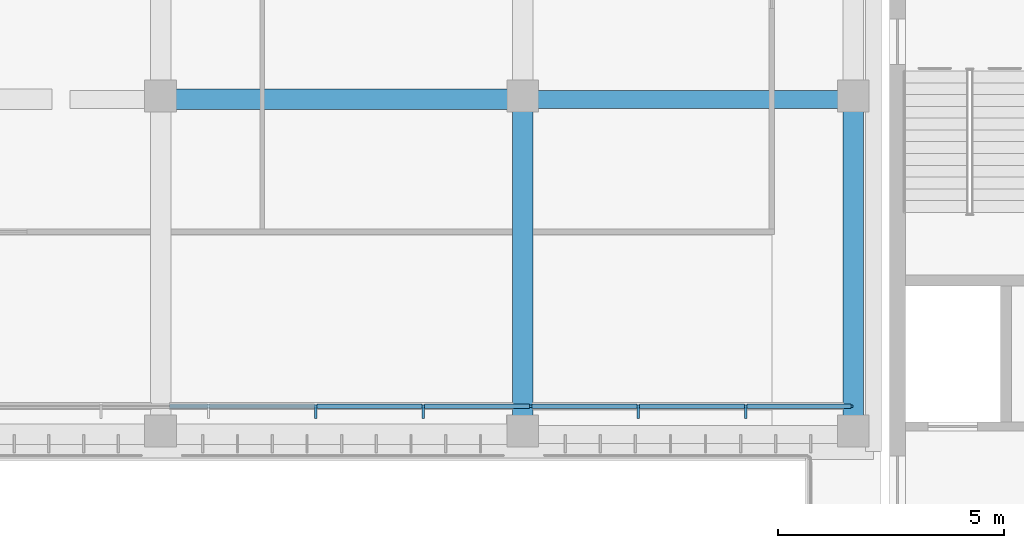
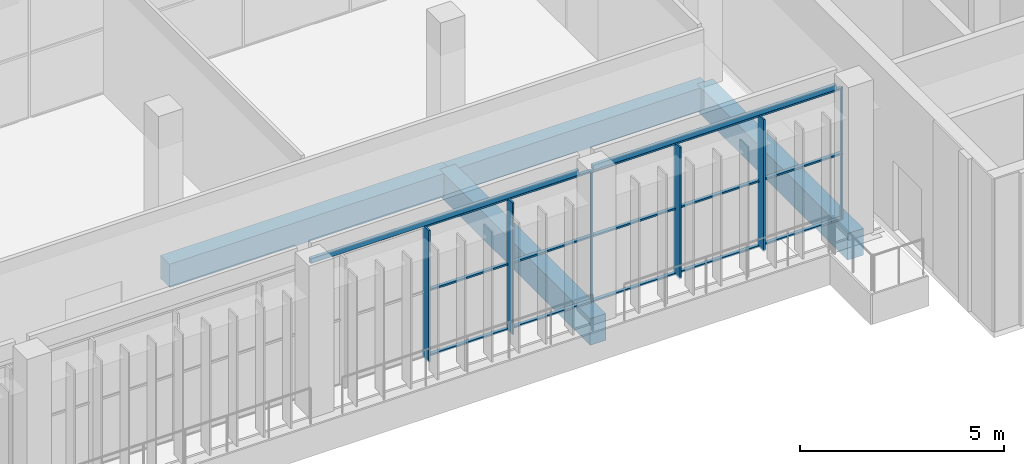
# One storey, part 31 of 73: 21 members, 6 beams, 1 element without a shape of its own.
"""IFC4 building model written with IfcOpenShell, lengths in metres."""

from ifc_helpers import new_model, si_unit, direction, frame, origin, origin_2d, place, context, subcontext, project, spatial, rectangle, hollow_rectangle, extrude, material, material_profile, profile_set, type_object, element, aggregate, save


model = new_model("IFC4")

# Units and contexts
model_context = context("Model", 3, precision=1e-05, world=origin(), true_north=direction((0.0, 1.0)))
body_context = subcontext(model_context, "Body", "Model", "MODEL_VIEW")
ifc_project = project(units=[si_unit("LENGTHUNIT", "METRE"), si_unit("AREAUNIT", "SQUARE_METRE"), si_unit("VOLUMEUNIT", "CUBIC_METRE"), si_unit("PLANEANGLEUNIT", "RADIAN"), si_unit("MASSUNIT", "GRAM", prefix="KILO")], contexts=[model_context])

# Site, building, storey
site_placement = place(None, origin())
site = spatial("IfcSite", under=ifc_project, at=site_placement, CompositionType="ELEMENT")
building_placement = place(site_placement, origin())
building = spatial("IfcBuilding", under=site, at=building_placement, Name="Lantern Court Media Centre", CompositionType="ELEMENT")
storey_placement = place(building_placement, frame((0.0, 0.0, 24.0)))
storey = spatial("IfcBuildingStorey", under=building, at=storey_placement, Name="L05", CompositionType="ELEMENT", Elevation=24.0)

# Curtain wall, members
ifc_material_1 = material(Name="Curtain wall bay 2400")
curtain_wall_type = type_object("IfcCurtainWallType", Name="Curtain wall bay 2400", PredefinedType="NOTDEFINED", material=ifc_material_1)
curtain_wall_placement = place(storey_placement, origin())
curtain_wall = element("IfcCurtainWall", 1, at=curtain_wall_placement, inside=storey, type_object=curtain_wall_type, Name="Curtain wall N inner L05", PredefinedType="NOTDEFINED")
ifc_material_2 = material(Name="Anodised aluminium", Category="aluminium")
ifc_material_profile_1 = material_profile(ifc_material_2, rectangle(XDim=0.300048828125, YDim=0.050048828125, at=origin_2d()), Name="AL 50x300")
ifc_profile_set_1 = profile_set([ifc_material_profile_1], Name="Anodised aluminium")
member_type_1 = type_object("IfcMemberType", Name="Curtain wall mullion 50x300", PredefinedType="MULLION", material=ifc_profile_set_1)
member_1_placement = place(storey_placement, frame((67.430419921875, 102.030029296875, 0.0), z_axis=(0.0, 0.0, 1.0), x_axis=(0.0, 1.0, 0.0)))
member_1 = element("IfcMember", 2, at=member_1_placement, type_object=member_type_1, Name="CW2 mullion 19", PredefinedType="MULLION", context=body_context, shape_type="SweptSolid", body=[
    extrude(rectangle(XDim=0.300048828125, YDim=0.050048828125, at=origin_2d()), origin(), (0.0, 0.0, 1.0), 3.949951171875),
])
member_2_placement = place(storey_placement, frame((69.804443359375, 102.030029296875, 0.0), z_axis=(0.0, 0.0, 1.0), x_axis=(0.0, 1.0, 0.0)))
member_2 = element("IfcMember", 3, at=member_2_placement, type_object=member_type_1, Name="CW2 mullion 20", PredefinedType="MULLION", context=body_context, shape_type="SweptSolid", body=[
    extrude(rectangle(XDim=0.300048828125, YDim=0.050048828125, at=origin_2d()), origin(), (0.0, 0.0, 1.0), 3.949951171875),
])
member_3_placement = place(storey_placement, frame((74.55224609375, 102.030029296875, 0.0), z_axis=(0.0, 0.0, 1.0), x_axis=(0.0, 1.0, 0.0)))
member_3 = element("IfcMember", 4, at=member_3_placement, type_object=member_type_1, Name="CW2 mullion 22", PredefinedType="MULLION", context=body_context, shape_type="SweptSolid", body=[
    extrude(rectangle(XDim=0.300048828125, YDim=0.050048828125, at=origin_2d()), origin(), (0.0, 0.0, 1.0), 3.949951171875),
])
member_4_placement = place(storey_placement, frame((76.926025390625, 102.030029296875, 0.0), z_axis=(0.0, 0.0, 1.0), x_axis=(0.0, 1.0, 0.0)))
member_4 = element("IfcMember", 5, at=member_4_placement, type_object=member_type_1, Name="CW2 mullion 23", PredefinedType="MULLION", context=body_context, shape_type="SweptSolid", body=[
    extrude(rectangle(XDim=0.300048828125, YDim=0.050048828125, at=origin_2d()), origin(), (0.0, 0.0, 1.0), 3.949951171875),
])
ifc_material_profile_2 = material_profile(ifc_material_2, rectangle(XDim=0.06005859375, YDim=0.050048828125, at=origin_2d()), Name="AL 50x60")
ifc_profile_set_2 = profile_set([ifc_material_profile_2], Name="Anodised aluminium")
member_type_2 = type_object("IfcMemberType", Name="Curtain wall mullion 50x60", PredefinedType="MULLION", material=ifc_profile_set_2)
member_5_placement = place(storey_placement, frame((72.17822265625, 102.14990234375, 0.0), z_axis=(0.0, 0.0, 1.0), x_axis=(0.0, 1.0, 0.0)))
member_5 = element("IfcMember", 6, at=member_5_placement, type_object=member_type_2, Name="CW2 mullion 21", PredefinedType="MULLION", context=body_context, shape_type="SweptSolid", body=[
    extrude(rectangle(XDim=0.06005859375, YDim=0.050048828125, at=origin_2d()), origin(), (0.0, 0.0, 1.0), 3.949951171875),
])
member_6_placement = place(storey_placement, frame((79.27490234375, 102.14990234375, 0.0), z_axis=(0.0, 0.0, 1.0), x_axis=(0.0, 1.0, 0.0)))
member_6 = element("IfcMember", 7, at=member_6_placement, type_object=member_type_2, Name="CW2 mullion 24", PredefinedType="MULLION", context=body_context, shape_type="SweptSolid", body=[
    extrude(rectangle(XDim=0.06005859375, YDim=0.050048828125, at=origin_2d()), origin(), (0.0, 0.0, 1.0), 3.949951171875),
])
ifc_material_profile_3 = material_profile(ifc_material_2, rectangle(XDim=0.10009765625, YDim=0.050048828125, at=origin_2d()), Name="AL 50x100")
ifc_profile_set_3 = profile_set([ifc_material_profile_3], Name="Anodised aluminium")
member_type_3 = type_object("IfcMemberType", Name="Curtain wall transom 100x50", PredefinedType="USERDEFINED", material=ifc_profile_set_3)
member_7_placement = place(storey_placement, frame((67.455322265625, 102.14990234375, 0.02490234375), z_axis=(1.0, 0.0, 0.0), x_axis=(0.0, 1.0, 0.0)))
member_7 = element("IfcMember", 8, at=member_7_placement, type_object=member_type_3, Name="CW2 transom 19.1", ObjectType="TRANSOM", PredefinedType="USERDEFINED", context=body_context, shape_type="SweptSolid", body=[
    extrude(rectangle(XDim=0.10009765625, YDim=0.050048828125, at=origin_2d()), origin(), (0.0, 0.0, 1.0), 2.323974609375),
])
member_8_placement = place(storey_placement, frame((67.455322265625, 102.14990234375, 1.97509765625), z_axis=(1.0, 0.0, 0.0), x_axis=(0.0, 1.0, 0.0)))
member_8 = element("IfcMember", 9, at=member_8_placement, type_object=member_type_3, Name="CW2 transom 19.2", ObjectType="TRANSOM", PredefinedType="USERDEFINED", context=body_context, shape_type="SweptSolid", body=[
    extrude(rectangle(XDim=0.10009765625, YDim=0.050048828125, at=origin_2d()), origin(), (0.0, 0.0, 1.0), 2.323974609375),
])
member_9_placement = place(storey_placement, frame((67.455322265625, 102.14990234375, 3.925048828125), z_axis=(1.0, 0.0, 0.0), x_axis=(0.0, 1.0, 0.0)))
member_9 = element("IfcMember", 10, at=member_9_placement, type_object=member_type_3, Name="CW2 transom 19.3", ObjectType="TRANSOM", PredefinedType="USERDEFINED", context=body_context, shape_type="SweptSolid", body=[
    extrude(rectangle(XDim=0.10009765625, YDim=0.050048828125, at=origin_2d()), origin(), (0.0, 0.0, 1.0), 2.323974609375),
])
member_10_placement = place(storey_placement, frame((69.829345703125, 102.14990234375, 0.02490234375), z_axis=(1.0, 0.0, 0.0), x_axis=(0.0, 1.0, 0.0)))
member_10 = element("IfcMember", 11, at=member_10_placement, type_object=member_type_3, Name="CW2 transom 20.1", ObjectType="TRANSOM", PredefinedType="USERDEFINED", context=body_context, shape_type="SweptSolid", body=[
    extrude(rectangle(XDim=0.10009765625, YDim=0.050048828125, at=origin_2d()), origin(), (0.0, 0.0, 1.0), 2.323974609375),
])
member_11_placement = place(storey_placement, frame((69.829345703125, 102.14990234375, 1.97509765625), z_axis=(1.0, 0.0, 0.0), x_axis=(0.0, 1.0, 0.0)))
member_11 = element("IfcMember", 12, at=member_11_placement, type_object=member_type_3, Name="CW2 transom 20.2", ObjectType="TRANSOM", PredefinedType="USERDEFINED", context=body_context, shape_type="SweptSolid", body=[
    extrude(rectangle(XDim=0.10009765625, YDim=0.050048828125, at=origin_2d()), origin(), (0.0, 0.0, 1.0), 2.323974609375),
])
member_12_placement = place(storey_placement, frame((69.829345703125, 102.14990234375, 3.925048828125), z_axis=(1.0, 0.0, 0.0), x_axis=(0.0, 1.0, 0.0)))
member_12 = element("IfcMember", 13, at=member_12_placement, type_object=member_type_3, Name="CW2 transom 20.3", ObjectType="TRANSOM", PredefinedType="USERDEFINED", context=body_context, shape_type="SweptSolid", body=[
    extrude(rectangle(XDim=0.10009765625, YDim=0.050048828125, at=origin_2d()), origin(), (0.0, 0.0, 1.0), 2.323974609375),
])
member_13_placement = place(storey_placement, frame((72.203369140625, 102.14990234375, 0.02490234375), z_axis=(1.0, 0.0, 0.0), x_axis=(0.0, 1.0, 0.0)))
member_13 = element("IfcMember", 14, at=member_13_placement, type_object=member_type_3, Name="CW2 transom 21.1", ObjectType="TRANSOM", PredefinedType="USERDEFINED", context=body_context, shape_type="SweptSolid", body=[
    extrude(rectangle(XDim=0.10009765625, YDim=0.050048828125, at=origin_2d()), origin(), (0.0, 0.0, 1.0), 2.32373046875),
])
member_14_placement = place(storey_placement, frame((72.203369140625, 102.14990234375, 1.97509765625), z_axis=(1.0, 0.0, 0.0), x_axis=(0.0, 1.0, 0.0)))
member_14 = element("IfcMember", 15, at=member_14_placement, type_object=member_type_3, Name="CW2 transom 21.2", ObjectType="TRANSOM", PredefinedType="USERDEFINED", context=body_context, shape_type="SweptSolid", body=[
    extrude(rectangle(XDim=0.10009765625, YDim=0.050048828125, at=origin_2d()), origin(), (0.0, 0.0, 1.0), 2.32373046875),
])
member_15_placement = place(storey_placement, frame((72.203369140625, 102.14990234375, 3.925048828125), z_axis=(1.0, 0.0, 0.0), x_axis=(0.0, 1.0, 0.0)))
member_15 = element("IfcMember", 16, at=member_15_placement, type_object=member_type_3, Name="CW2 transom 21.3", ObjectType="TRANSOM", PredefinedType="USERDEFINED", context=body_context, shape_type="SweptSolid", body=[
    extrude(rectangle(XDim=0.10009765625, YDim=0.050048828125, at=origin_2d()), origin(), (0.0, 0.0, 1.0), 2.32373046875),
])
member_16_placement = place(storey_placement, frame((74.5771484375, 102.14990234375, 0.02490234375), z_axis=(1.0, 0.0, 0.0), x_axis=(0.0, 1.0, 0.0)))
member_16 = element("IfcMember", 17, at=member_16_placement, type_object=member_type_3, Name="CW2 transom 22.1", ObjectType="TRANSOM", PredefinedType="USERDEFINED", context=body_context, shape_type="SweptSolid", body=[
    extrude(rectangle(XDim=0.10009765625, YDim=0.050048828125, at=origin_2d()), origin(), (0.0, 0.0, 1.0), 2.323974609375),
])
member_17_placement = place(storey_placement, frame((74.5771484375, 102.14990234375, 1.97509765625), z_axis=(1.0, 0.0, 0.0), x_axis=(0.0, 1.0, 0.0)))
member_17 = element("IfcMember", 18, at=member_17_placement, type_object=member_type_3, Name="CW2 transom 22.2", ObjectType="TRANSOM", PredefinedType="USERDEFINED", context=body_context, shape_type="SweptSolid", body=[
    extrude(rectangle(XDim=0.10009765625, YDim=0.050048828125, at=origin_2d()), origin(), (0.0, 0.0, 1.0), 2.323974609375),
])
member_18_placement = place(storey_placement, frame((74.5771484375, 102.14990234375, 3.925048828125), z_axis=(1.0, 0.0, 0.0), x_axis=(0.0, 1.0, 0.0)))
member_18 = element("IfcMember", 19, at=member_18_placement, type_object=member_type_3, Name="CW2 transom 22.3", ObjectType="TRANSOM", PredefinedType="USERDEFINED", context=body_context, shape_type="SweptSolid", body=[
    extrude(rectangle(XDim=0.10009765625, YDim=0.050048828125, at=origin_2d()), origin(), (0.0, 0.0, 1.0), 2.323974609375),
])
member_19_placement = place(storey_placement, frame((76.951171875, 102.14990234375, 0.02490234375), z_axis=(1.0, 0.0, 0.0), x_axis=(0.0, 1.0, 0.0)))
member_19 = element("IfcMember", 20, at=member_19_placement, type_object=member_type_3, Name="CW2 transom 23.1", ObjectType="TRANSOM", PredefinedType="USERDEFINED", context=body_context, shape_type="SweptSolid", body=[
    extrude(rectangle(XDim=0.10009765625, YDim=0.050048828125, at=origin_2d()), origin(), (0.0, 0.0, 1.0), 2.298828125),
])
member_20_placement = place(storey_placement, frame((76.951171875, 102.14990234375, 1.97509765625), z_axis=(1.0, 0.0, 0.0), x_axis=(0.0, 1.0, 0.0)))
member_20 = element("IfcMember", 21, at=member_20_placement, type_object=member_type_3, Name="CW2 transom 23.2", ObjectType="TRANSOM", PredefinedType="USERDEFINED", context=body_context, shape_type="SweptSolid", body=[
    extrude(rectangle(XDim=0.10009765625, YDim=0.050048828125, at=origin_2d()), origin(), (0.0, 0.0, 1.0), 2.298828125),
])
member_21_placement = place(storey_placement, frame((76.951171875, 102.14990234375, 3.925048828125), z_axis=(1.0, 0.0, 0.0), x_axis=(0.0, 1.0, 0.0)))
member_21 = element("IfcMember", 22, at=member_21_placement, type_object=member_type_3, Name="CW2 transom 23.3", ObjectType="TRANSOM", PredefinedType="USERDEFINED", context=body_context, shape_type="SweptSolid", body=[
    extrude(rectangle(XDim=0.10009765625, YDim=0.050048828125, at=origin_2d()), origin(), (0.0, 0.0, 1.0), 2.298828125),
])
aggregate(curtain_wall, [member_1, member_2, member_5, member_3, member_4, member_6, member_7, member_8, member_9, member_10, member_11, member_12, member_13, member_14, member_15, member_16, member_17, member_18, member_19, member_20, member_21])

# Beams
ifc_material_3 = material(Name="Steel S355J2 (EN 10025-2)", Category="steel")
ifc_material_profile_4 = material_profile(ifc_material_3, hollow_rectangle(XDim=0.10009765625, YDim=0.14990234375, WallThickness=0.00634765625, InnerFilletRadius=0.00634765625, OuterFilletRadius=0.009521484375, at=origin_2d()), Name="Facade head lintel RHS 150x100x6.3")
ifc_profile_set_4 = profile_set([ifc_material_profile_4], Name="Steel S355J2 (EN 10025-2)")
beam_type_1 = type_object("IfcBeamType", Name="Facade head lintel RHS 150x100x6.3", PredefinedType="BEAM", material=ifc_profile_set_4)
beam_1_placement = place(storey_placement, frame((64.199951171875, 102.14990234375, 4.02490234375), z_axis=(1.0, 0.0, 0.0), x_axis=(0.0, 1.0, 0.0)))
element("IfcBeam", 23, at=beam_1_placement, inside=storey, type_object=beam_type_1, Name="Facade head lintel N L05", PredefinedType="BEAM", context=body_context, shape_type="SweptSolid", body=[
    extrude(hollow_rectangle(XDim=0.10009765625, YDim=0.14990234375, WallThickness=0.00634765625, InnerFilletRadius=0.00634765625, OuterFilletRadius=0.009521484375, at=origin_2d()), origin(), (0.0, 0.0, 1.0), 7.60009765625),
])
beam_2_placement = place(storey_placement, frame((72.199951171875, 102.14990234375, 4.02490234375), z_axis=(1.0, 0.0, 0.0), x_axis=(0.0, 1.0, 0.0)))
element("IfcBeam", 24, at=beam_2_placement, inside=storey, type_object=beam_type_1, Name="Facade head lintel N L05", PredefinedType="BEAM", context=body_context, shape_type="SweptSolid", body=[
    extrude(hollow_rectangle(XDim=0.10009765625, YDim=0.14990234375, WallThickness=0.00634765625, InnerFilletRadius=0.00634765625, OuterFilletRadius=0.009521484375, at=origin_2d()), origin(), (0.0, 0.0, 1.0), 6.900146484375),
])
ifc_material_4 = material(Name="Concrete C35", Category="concrete")
ifc_material_profile_5 = material_profile(ifc_material_4, rectangle(XDim=0.39990234375, YDim=0.699951171875, at=origin_2d()), Name="RC 400x700")
ifc_profile_set_5 = profile_set([ifc_material_profile_5], Name="Concrete C35")
beam_type_2 = type_object("IfcBeamType", Name="RC BEAM 400x700", PredefinedType="BEAM", material=ifc_profile_set_5)
beam_3_placement = place(storey_placement, frame((72.0, 108.927001953125, -0.35009765625), z_axis=(1.0, 0.0, 0.0), x_axis=(0.0, 1.0, 0.0)))
element("IfcBeam", 25, at=beam_3_placement, inside=storey, type_object=beam_type_2, Name="LB-N-L05-1-6", PredefinedType="BEAM", context=body_context, shape_type="SweptSolid", body=[
    extrude(rectangle(XDim=0.39990234375, YDim=0.699951171875, at=origin_2d()), origin(), (0.0, 0.0, 1.0), 7.300048828125),
])
ifc_material_profile_6 = material_profile(ifc_material_4, rectangle(XDim=0.449951171875, YDim=0.699951171875, at=origin_2d()), Name="RC 450x700")
ifc_profile_set_6 = profile_set([ifc_material_profile_6], Name="Concrete C35")
beam_type_3 = type_object("IfcBeamType", Name="RC BEAM 450x700", PredefinedType="BEAM", material=ifc_profile_set_6)
beam_4_placement = place(storey_placement, frame((64.0, 108.927001953125, -0.35009765625), z_axis=(1.0, 0.0, 0.0), x_axis=(0.0, 1.0, 0.0)))
element("IfcBeam", 26, at=beam_4_placement, inside=storey, type_object=beam_type_3, Name="LB-N-L05-1-5", PredefinedType="BEAM", context=body_context, shape_type="SweptSolid", body=[
    extrude(rectangle(XDim=0.449951171875, YDim=0.699951171875, at=origin_2d()), origin(), (0.0, 0.0, 1.0), 8.0),
])
ifc_material_profile_7 = material_profile(ifc_material_4, rectangle(XDim=0.449951171875, YDim=0.800048828125, at=origin_2d()), Name="RC 450x800")
ifc_profile_set_7 = profile_set([ifc_material_profile_7], Name="Concrete C35")
beam_type_4 = type_object("IfcBeamType", Name="RC BEAM 450x800", PredefinedType="BEAM", material=ifc_profile_set_7)
for number, where, z_axis, x_axis, name in (
    (27, (72.0, 101.5166015625, -0.39990234375), (0.0, 1.0, 0.0), (-1.0, 0.0, 0.0), "TB-N-L05-6-1"),
    (28, (79.300048828125, 101.5166015625, -0.39990234375), (0.0, 1.0, 0.0), (-1.0, 0.0, 0.0), "TB-N-L05-7-1"),
):
    element("IfcBeam", number, at=place(storey_placement, frame(where, z_axis=z_axis, x_axis=x_axis)), inside=storey, type_object=beam_type_4, Name=name, PredefinedType="BEAM", context=body_context, shape_type="SweptSolid", body=[
        extrude(rectangle(XDim=0.449951171875, YDim=0.800048828125, at=origin_2d()), origin(), (0.0, 0.0, 1.0), 7.400146484375),
    ])

save(model, "model.ifc")
